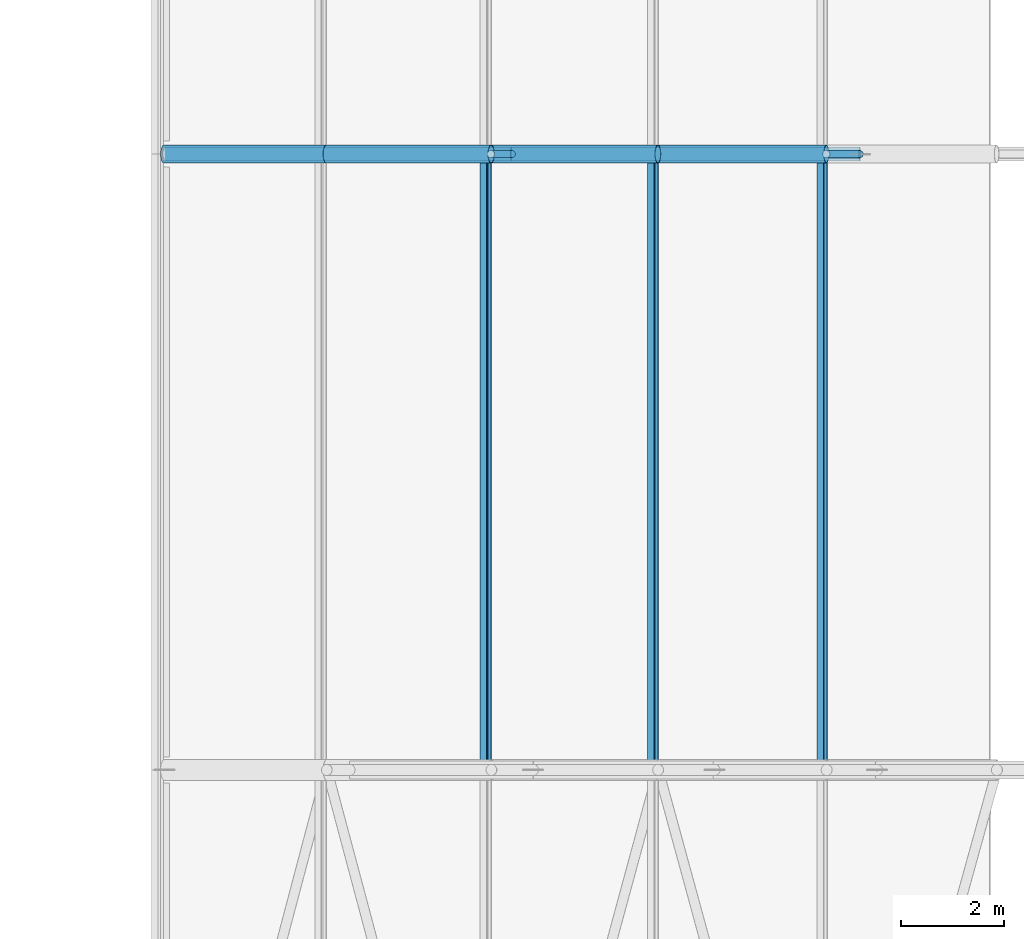
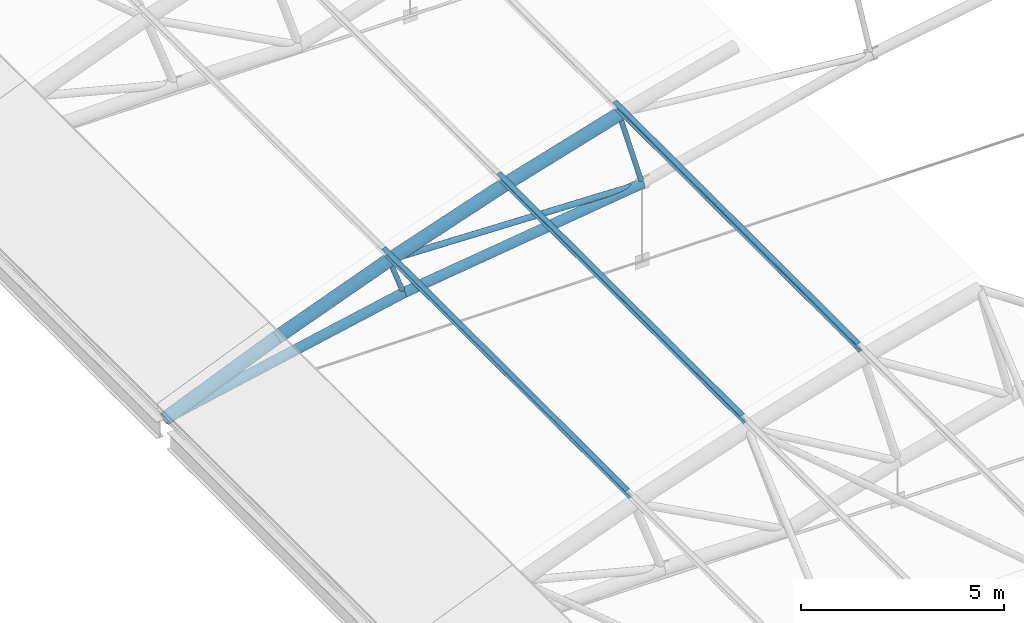
# One storey, part 55 of 321: 12 members.
"""IFC4 building model written with IfcOpenShell, lengths in metres."""

from ifc_helpers import new_model, si_unit, direction, frame, origin, origin_2d, place, context, subcontext, project, spatial, hollow_circle, i_section, extrude, material, material_profile, profile_set, type_object, element, save


model = new_model("IFC4")

# Units and contexts
model_context = context("Model", 3, precision=1e-05, world=origin(), true_north=direction((0.0, 1.0)))
body_context = subcontext(model_context, "Body", "Model", "MODEL_VIEW")
ifc_project = project(units=[si_unit("LENGTHUNIT", "METRE"), si_unit("AREAUNIT", "SQUARE_METRE"), si_unit("VOLUMEUNIT", "CUBIC_METRE"), si_unit("PLANEANGLEUNIT", "RADIAN"), si_unit("MASSUNIT", "GRAM", prefix="KILO")], contexts=[model_context])

# Site, building, storey
site_placement = place(None, origin())
site = spatial("IfcSite", under=ifc_project, at=site_placement, CompositionType="ELEMENT")
building_placement = place(site_placement, origin())
building = spatial("IfcBuilding", under=site, at=building_placement, Name="Ravi Spectrum Wholesale Market", CompositionType="ELEMENT")
storey_placement = place(building_placement, frame((0.0, 0.0, 10.800048828125)))
storey = spatial("IfcBuildingStorey", under=building, at=storey_placement, Name="L02", CompositionType="ELEMENT", Elevation=10.800048828125)

# Members
ifc_material_1 = material(Name="Steel S355", Category="steel")
ifc_material_profile_1 = material_profile(ifc_material_1, hollow_circle(Radius=0.06982421875, WallThickness=0.0048828125, at=origin_2d()))
ifc_profile_set_1 = profile_set([ifc_material_profile_1], Name="Steel S355")
member_type_1 = type_object("IfcMemberType", Name="CHS 139.7x5 post", PredefinedType="POST", material=ifc_profile_set_1)
member_1_placement = place(storey_placement, frame((36.363037109375, 90.0, 2.56494140625), z_axis=(0.338114270461, 0.0, -0.941105063269), x_axis=(0.0, 1.0, 0.0)))
element("IfcMember", 1, at=member_1_placement, inside=storey, type_object=member_type_1, Name="H1-MB-L02-460", PredefinedType="POST", context=body_context, shape_type="SweptSolid", body=[
    extrude(hollow_circle(Radius=0.06982421875, WallThickness=0.0048828125, at=origin_2d()), origin(), (0.0, 0.0, 1.0), 1.199951171875),
])
member_2_placement = place(storey_placement, frame((42.896240234375, 90.0, 4.661376953125), z_axis=(0.272503703517, 0.0, -0.962154733694), x_axis=(0.0, 1.0, 0.0)))
element("IfcMember", 2, at=member_2_placement, inside=storey, type_object=member_type_1, Name="H1-MB-L02-461", PredefinedType="POST", context=body_context, shape_type="SweptSolid", body=[
    extrude(hollow_circle(Radius=0.06982421875, WallThickness=0.0048828125, at=origin_2d()), origin(), (0.0, 0.0, 1.0), 2.400146484375),
])
ifc_material_2 = material(Name="Steel S355", Category="steel")
ifc_material_profile_2 = material_profile(ifc_material_2, hollow_circle(Radius=0.084228515625, WallThickness=0.00634765625, at=origin_2d()))
ifc_profile_set_2 = profile_set([ifc_material_profile_2], Name="Steel S355")
member_type_2 = type_object("IfcMemberType", Name="CHS 168.3x6.3 brace", PredefinedType="BRACE", material=ifc_profile_set_2)
member_3_placement = place(storey_placement, frame((36.363037109375, 90.0, 2.56494140625), z_axis=(0.999561599338, 0.0, -0.029607585673), x_axis=(0.0, 1.0, 0.0)))
element("IfcMember", 3, at=member_3_placement, inside=storey, type_object=member_type_2, Name="H1-MB-L02-471", PredefinedType="BRACE", context=body_context, shape_type="SweptSolid", body=[
    extrude(hollow_circle(Radius=0.084228515625, WallThickness=0.00634765625, at=origin_2d()), origin(), (0.0, 0.0, 1.0), 7.1904296875),
])
ifc_material_3 = material(Name="Steel S355", Category="steel")
ifc_material_profile_3 = material_profile(ifc_material_3, hollow_circle(Radius=0.136474609375, WallThickness=0.010009765625, at=origin_2d()))
ifc_profile_set_3 = profile_set([ifc_material_profile_3], Name="Steel S355")
member_type_3 = type_object("IfcMemberType", Name="CHS 273x10 chord", PredefinedType="CHORD", material=ifc_profile_set_3)
member_4_placement = place(storey_placement, frame((29.98974609375, 90.0, 0.023193359375), z_axis=(0.978978953118, 0.0, 0.203961293758), x_axis=(0.0, 1.0, 0.0)))
element("IfcMember", 4, at=member_4_placement, inside=storey, type_object=member_type_3, Name="H1-MB-L02-448", PredefinedType="CHORD", context=body_context, shape_type="SweptSolid", body=[
    extrude(hollow_circle(Radius=0.136474609375, WallThickness=0.010009765625, at=origin_2d()), origin(), (0.0, 0.0, 1.0), 6.924560546875),
])
member_5_placement = place(storey_placement, frame((36.768798828125, 90.0, 1.435546875), z_axis=(0.990990766788, 0.0, 0.133930206233), x_axis=(0.0, 1.0, 0.0)))
element("IfcMember", 5, at=member_5_placement, inside=storey, type_object=member_type_3, Name="H1-MB-L02-449", PredefinedType="CHORD", context=body_context, shape_type="SweptSolid", body=[
    extrude(hollow_circle(Radius=0.136474609375, WallThickness=0.010009765625, at=origin_2d()), origin(), (0.0, 0.0, 1.0), 6.84326171875),
])
ifc_material_4 = material(Name="Steel S355", Category="steel")
ifc_material_profile_4 = material_profile(ifc_material_4, hollow_circle(Radius=0.177734375, WallThickness=0.012451171875, at=origin_2d()))
ifc_profile_set_4 = profile_set([ifc_material_profile_4], Name="Steel S355")
member_type_4 = type_object("IfcMemberType", Name="CHS 355.6x12.5 chord", PredefinedType="CHORD", material=ifc_profile_set_4)
member_6_placement = place(storey_placement, frame((29.98974609375, 90.0, 0.023193359375), z_axis=(0.922323660423, 0.0, 0.386418251929), x_axis=(0.0, 1.0, 0.0)))
element("IfcMember", 6, at=member_6_placement, inside=storey, type_object=member_type_4, Name="H1-MB-L02-424", PredefinedType="CHORD", context=body_context, shape_type="SweptSolid", body=[
    extrude(hollow_circle(Radius=0.177734375, WallThickness=0.012451171875, at=origin_2d()), origin(), (0.0, 0.0, 1.0), 3.431396484375),
])
for number, where, z_axis, x_axis, name in (
    (7, (33.154541015625, 90.0, 1.34912109375), (0.935113010382, 0.0, 0.354349626518), (0.0, 1.0, 0.0), "H1-MB-L02-425"),
    (8, (36.363037109375, 90.0, 2.56494140625), (0.946773612235, 0.0, 0.321900182005), (0.0, 1.0, 0.0), "H1-MB-L02-426"),
    (9, (39.611572265625, 90.0, 3.66943359375), (0.957299848506, 0.0, 0.289096869666), (0.0, 1.0, 0.0), "H1-MB-L02-427"),
):
    element("IfcMember", number, at=place(storey_placement, frame(where, z_axis=z_axis, x_axis=x_axis)), inside=storey, type_object=member_type_4, Name=name, PredefinedType="CHORD", context=body_context, shape_type="SweptSolid", body=[
        extrude(hollow_circle(Radius=0.177734375, WallThickness=0.012451171875, at=origin_2d()), origin(), (0.0, 0.0, 1.0), 3.43115234375),
    ])
ifc_material_5 = material(Name="Steel S355", Category="steel")
ifc_material_profile_5 = material_profile(ifc_material_5, i_section(OverallWidth=0.135009765625, OverallDepth=0.27001953125, WebThickness=0.006591796875, FlangeThickness=0.01025390625, at=origin_2d()))
ifc_profile_set_5 = profile_set([ifc_material_profile_5], Name="Steel S355")
member_type_5 = type_object("IfcMemberType", Name="IPE 270 purlin", PredefinedType="PURLIN", material=ifc_profile_set_5)
for number, where, z_axis, x_axis, name in (
    (10, (36.25732421875, 78.0, 2.859375), (0.0, 1.0, 0.0), (-0.941079849597, 0.0, -0.338184441811), "H1-MB-L02-1336"),
    (11, (39.515869140625, 78.0, 3.96728515625), (0.0, 1.0, 0.0), (-0.952184497174, 0.0, -0.305523621577), "H1-MB-L02-1337"),
    (12, (42.81103515625, 78.0, 4.962158203125), (0.0, 1.0, 0.0), (-0.96215600485, 0.0, -0.272499215286), "H1-MB-L02-1338"),
):
    element("IfcMember", number, at=place(storey_placement, frame(where, z_axis=z_axis, x_axis=x_axis)), inside=storey, type_object=member_type_5, Name=name, PredefinedType="PURLIN", context=body_context, shape_type="SweptSolid", body=[
        extrude(i_section(OverallWidth=0.135009765625, OverallDepth=0.27001953125, WebThickness=0.006591796875, FlangeThickness=0.01025390625, at=origin_2d()), origin(), (0.0, 0.0, 1.0), 12.0),
    ])

save(model, "model.ifc")
